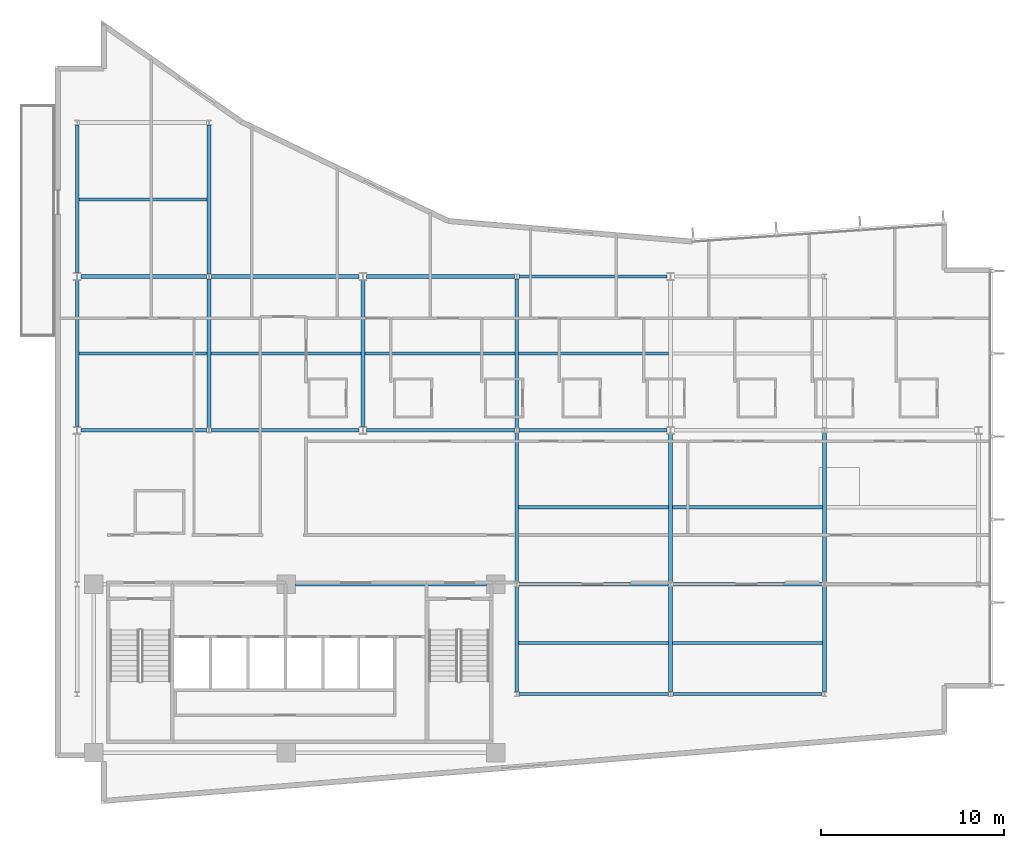
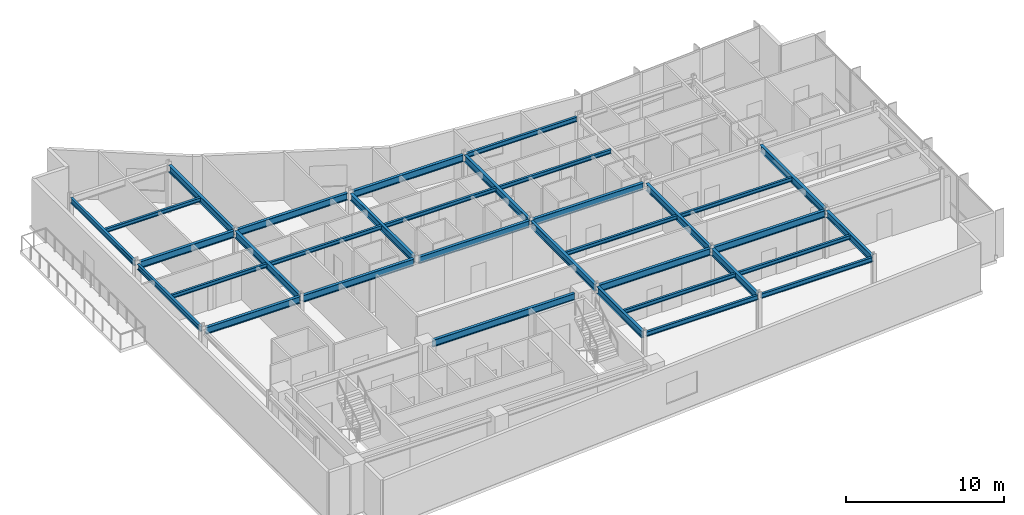
# One storey, part 4 of 16: 34 beams.
"""IFC4 building model written with IfcOpenShell, lengths in metres."""

import ifcopenshell
import ifcopenshell.guid

model = None  # the IFC model being written
_history = None  # IfcOwnerHistory: only IFC2X3 demands one
_inside = {}  # id of a spatial element -> (the spatial element, [elements in it])
_under = {}  # id of a project, library or spatial element -> (it, [spatial elements below it])
_declared = {}  # id of a project -> (the project, [libraries it declares])
_typed = {}  # id of a type object -> (the type object, [elements of that type])
_made_of = {}  # id of a material, layer set ... -> (it, [elements and type objects made of it])


def new_model(schema):
    """Start an empty IFC model of exactly this schema.

    Asked for "IFC4X3", IfcOpenShell would pick the latest addendum, in which some entities
    have other attributes; the version numbers below select the first issue.
    IFC2X3 requires an IfcOwnerHistory on every rooted entity: one is made here for all.
    """
    global model, _history
    if schema == "IFC4X3":
        model = ifcopenshell.file(schema_version=(4, 3, 0, 0))
    else:
        model = ifcopenshell.file(schema=schema)
    _inside.clear()
    _under.clear()
    _declared.clear()
    _typed.clear()
    _made_of.clear()
    _history = None
    if model.schema == "IFC2X3":
        org = make("IfcOrganization", Name="unknown")
        user = make(
            "IfcPersonAndOrganization",
            ThePerson=make("IfcPerson", FamilyName="unknown"),
            TheOrganization=org,
        )
        app = make(
            "IfcApplication",
            ApplicationDeveloper=org,
            Version="unknown",
            ApplicationFullName="unknown",
            ApplicationIdentifier="unknown",
        )
        _history = make(
            "IfcOwnerHistory",
            OwningUser=user,
            OwningApplication=app,
            ChangeAction="ADDED",
            CreationDate=0,
        )
    return model


def make(cls, **values):
    """One entity of the class cls with the attributes given. An attribute that is None is left unset."""
    return model.create_entity(
        cls, **{name: value for name, value in values.items() if value is not None}
    )


def rooted(cls, **values):
    """An entity with a GlobalId (a new one), such as an element, a storey or a relation."""
    return make(cls, GlobalId=ifcopenshell.guid.new(), OwnerHistory=_history, **values)


def si_unit(unit_type, name, prefix=None):
    """IfcSIUnit, for example si_unit("LENGTHUNIT", "METRE", prefix="MILLI")."""
    return make("IfcSIUnit", UnitType=unit_type, Prefix=prefix, Name=name)


def assignment(units):
    """IfcUnitAssignment: the units of a project."""
    return None if units is None else make("IfcUnitAssignment", Units=units)


def point(xyz):
    """IfcCartesianPoint."""
    return None if xyz is None else make("IfcCartesianPoint", Coordinates=xyz)


def direction(xyz):
    """IfcDirection."""
    return None if xyz is None else make("IfcDirection", DirectionRatios=xyz)


def frame(location, z_axis=None, x_axis=None):
    """IfcAxis2Placement3D, a coordinate frame: its origin and axes. An axis left out is left unset."""
    return make(
        "IfcAxis2Placement3D",
        Location=point(location),
        Axis=direction(z_axis),
        RefDirection=direction(x_axis),
    )


def frame_2d(location, x_axis=None):
    """IfcAxis2Placement2D, a coordinate frame in the plane: its origin and x axis."""
    return make(
        "IfcAxis2Placement2D", Location=point(location), RefDirection=direction(x_axis)
    )


def origin():
    """The frame at (0, 0, 0) with its axes left unset."""
    return frame((0.0, 0.0, 0.0))


def origin_2d():
    """The frame at (0, 0) in the plane with its x axis left unset."""
    return frame_2d((0.0, 0.0))


def place(relative_to, where):
    """IfcLocalPlacement: puts the frame where relative to a parent placement (None: the world)."""
    return make(
        "IfcLocalPlacement", PlacementRelTo=relative_to, RelativePlacement=where
    )


def context(
    kind, dimensions, precision=None, world=None, true_north=None, identifier=None
):
    """IfcGeometricRepresentationContext, for example the 3D "Model" context."""
    return make(
        "IfcGeometricRepresentationContext",
        ContextIdentifier=identifier,
        ContextType=kind,
        CoordinateSpaceDimension=dimensions,
        Precision=precision,
        WorldCoordinateSystem=world,
        TrueNorth=true_north,
    )


def subcontext(parent, identifier, kind, view, scale=None):
    """IfcGeometricRepresentationSubContext, for example "Body" below "Model"."""
    return make(
        "IfcGeometricRepresentationSubContext",
        ContextIdentifier=identifier,
        ContextType=kind,
        ParentContext=parent,
        TargetScale=scale,
        TargetView=view,
    )


def project(units=None, contexts=None):
    """IfcProject with its units and contexts."""
    return rooted(
        "IfcProject",
        Name="project",
        RepresentationContexts=contexts,
        UnitsInContext=assignment(units),
    )


def spatial(cls, under=None, at=None, **own):
    """A site, building, storey or space (cls), placed at a placement, below another one or the project."""
    s = rooted(cls, ObjectPlacement=at, **own)
    if under is not None:
        _under.setdefault(under.id(), (under, []))[1].append(s)
    return s


def profile(cls, at=None, kind="AREA", **sizes):
    """A parametric profile (cls). Its sizes go by their IFC names, for example OverallWidth=200.0."""
    return make(cls, ProfileType=kind, Position=at, **sizes)


def i_section(**sizes):
    """IfcIShapeProfileDef."""
    return profile("IfcIShapeProfileDef", **sizes)


def extrude(swept, where, along, depth):
    """IfcExtrudedAreaSolid: the profile swept, set in the frame where, extruded along a direction by depth."""
    return make(
        "IfcExtrudedAreaSolid",
        SweptArea=swept,
        Position=where,
        ExtrudedDirection=direction(along),
        Depth=depth,
    )


def shape(context_of_items, identifier, shape_type, items):
    """IfcShapeRepresentation: the items that make up one representation, for example the "Body"."""
    return make(
        "IfcShapeRepresentation",
        ContextOfItems=context_of_items,
        RepresentationIdentifier=identifier,
        RepresentationType=shape_type,
        Items=items,
    )


def material(Name=None, Category=None):
    """IfcMaterial."""
    return make("IfcMaterial", Name=Name, Category=Category)


def material_profile(
    of_material, cross_section, Name=None, Category=None, Priority=None
):
    """IfcMaterialProfile: a cross section and its material."""
    return make(
        "IfcMaterialProfile",
        Name=Name,
        Material=of_material,
        Profile=cross_section,
        Priority=Priority,
        Category=Category,
    )


def profile_set(profiles, Name=None, composite=None):
    """IfcMaterialProfileSet."""
    return make(
        "IfcMaterialProfileSet",
        Name=Name,
        MaterialProfiles=profiles,
        CompositeProfile=composite,
    )


def made_of(thing, what):
    """Note that an element or type object is made of a material, layer set ...; save() writes the relation."""
    if what is not None:
        _made_of.setdefault(what.id(), (what, []))[1].append(thing)
    return thing


def type_object(cls, material=None, **own):
    """A type object (cls), such as IfcWallType, which elements share."""
    return made_of(rooted(cls, **own), material)


def element(
    cls,
    number,
    at=None,
    inside=None,
    cuts=None,
    type_object=None,
    material=None,
    context=None,
    identifier="Body",
    shape_type=None,
    held_by="IfcProductDefinitionShape",
    body=None,
    shapes=None,
    **own,
):
    """One element of the class cls, such as IfcWall. Its Tag is "e" and its number.

    at: its placement. inside: the storey or other place that contains it. cuts: it is an
    opening in that element (IfcRelVoidsElement). A single representation is given by context,
    identifier, shape_type and body (its items); several are given by shapes. held_by: the class
    of the entity that holds the representations. save() writes the other relations.
    """
    e = rooted(cls, Tag="e%d" % number, ObjectPlacement=at, **own)
    if body is not None:
        shapes = [shape(context, identifier, shape_type, body)]
    if shapes is not None:
        e.Representation = make(held_by, Representations=shapes)
    if inside is not None:
        _inside.setdefault(inside.id(), (inside, []))[1].append(e)
    if cuts is not None:
        rooted(
            "IfcRelVoidsElement", RelatingBuildingElement=cuts, RelatedOpeningElement=e
        )
    if type_object is not None:
        _typed.setdefault(type_object.id(), (type_object, []))[1].append(e)
    return made_of(e, material)


def aggregate(whole, parts):
    """IfcRelAggregates: a whole, such as a stair, and the parts it consists of."""
    return rooted("IfcRelAggregates", RelatingObject=whole, RelatedObjects=parts)


def save(model, path):
    """Write the relations noted so far, then the file.

    IfcRelAggregates (storeys below a building ...), IfcRelContainedInSpatialStructure (elements
    in a storey), IfcRelDefinesByType, IfcRelAssociatesMaterial and IfcRelDeclares: one each for
    every whole, place, type object, material and project.
    """
    for whole, parts in _under.values():
        aggregate(whole, parts)
    for where, things in _inside.values():
        rooted(
            "IfcRelContainedInSpatialStructure",
            RelatedElements=things,
            RelatingStructure=where,
        )
    for kind, things in _typed.values():
        rooted("IfcRelDefinesByType", RelatedObjects=things, RelatingType=kind)
    for what, things in _made_of.values():
        rooted("IfcRelAssociatesMaterial", RelatedObjects=things, RelatingMaterial=what)
    for by, libraries in _declared.values():
        rooted("IfcRelDeclares", RelatingContext=by, RelatedDefinitions=libraries)
    model.write(path)


model = new_model("IFC4")

# Units and contexts
model_context = context("Model", 3, precision=1e-05, world=origin(), true_north=direction((0.0, 1.0)))
body_context = subcontext(model_context, "Body", "Model", "MODEL_VIEW")
ifc_project = project(units=[si_unit("LENGTHUNIT", "METRE"), si_unit("AREAUNIT", "SQUARE_METRE"), si_unit("VOLUMEUNIT", "CUBIC_METRE"), si_unit("PLANEANGLEUNIT", "RADIAN"), si_unit("MASSUNIT", "GRAM", prefix="KILO")], contexts=[model_context])

# Site, building, storey
site_placement = place(None, origin())
site = spatial("IfcSite", under=ifc_project, at=site_placement, CompositionType="ELEMENT")
building_placement = place(site_placement, origin())
building = spatial("IfcBuilding", under=site, at=building_placement, Name="Varnakote Quay Hospital", CompositionType="ELEMENT")
storey_placement = place(building_placement, frame((0.0, 0.0, 223.699951171875)))
storey = spatial("IfcBuildingStorey", under=building, at=storey_placement, Name="L55", CompositionType="ELEMENT", Elevation=223.699951171875)

# Beams
ifc_material_1 = material(Name="Structural steel AS/NZS 3679.1 Grade 350 L0 (fy 340 MPa)", Category="steel")
ifc_material_profile_1 = material_profile(ifc_material_1, i_section(OverallWidth=0.208984375, OverallDepth=0.528076171875, WebThickness=0.009521484375, FlangeThickness=0.01318359375, FilletRadius=0.013916015625, at=origin_2d()), Name="530UB82.0")
ifc_profile_set_1 = profile_set([ifc_material_profile_1], Name="Structural steel AS/NZS 3679.1 Grade 350 L0 (fy 340 MPa)")
beam_type_1 = type_object("IfcBeamType", Name="BM-STL-530UB82-0", PredefinedType="BEAM", material=ifc_profile_set_1)
beam_1_placement = place(storey_placement, frame((8.39990234375, 20.530029296875, 3.446044921875), z_axis=(0.0, 1.0, 0.0), x_axis=(-1.0, 0.0, 0.0)))
element("IfcBeam", 1, at=beam_1_placement, inside=storey, type_object=beam_type_1, Name="L55 Primary Tie Beam", PredefinedType="BEAM", context=body_context, shape_type="SweptSolid", body=[
    extrude(i_section(OverallWidth=0.208984375, OverallDepth=0.528076171875, WebThickness=0.009521484375, FlangeThickness=0.01318359375, FilletRadius=0.013916015625, at=origin_2d()), origin(), (0.0, 0.0, 1.0), 8.139892578125),
])
beam_2_placement = place(storey_placement, frame((8.39990234375, 28.929931640625, 3.446044921875), z_axis=(0.0, 1.0, 0.0), x_axis=(-1.0, 0.0, 0.0)))
element("IfcBeam", 2, at=beam_2_placement, inside=storey, type_object=beam_type_1, Name="L55 Primary Tie Beam", PredefinedType="BEAM", context=body_context, shape_type="SweptSolid", body=[
    extrude(i_section(OverallWidth=0.208984375, OverallDepth=0.528076171875, WebThickness=0.009521484375, FlangeThickness=0.01318359375, FilletRadius=0.013916015625, at=origin_2d()), origin(), (0.0, 0.0, 1.0), 8.14013671875),
])
beam_3_placement = place(storey_placement, frame((16.800048828125, 20.60205078125, 3.446044921875), z_axis=(0.0, 1.0, 0.0), x_axis=(-1.0, 0.0, 0.0)))
element("IfcBeam", 3, at=beam_3_placement, inside=storey, type_object=beam_type_1, Name="L55 Primary Tie Beam", PredefinedType="BEAM", context=body_context, shape_type="SweptSolid", body=[
    extrude(i_section(OverallWidth=0.208984375, OverallDepth=0.528076171875, WebThickness=0.009521484375, FlangeThickness=0.01318359375, FilletRadius=0.013916015625, at=origin_2d()), origin(), (0.0, 0.0, 1.0), 7.995849609375),
])
beam_4_placement = place(storey_placement, frame((25.199951171875, 6.1298828125, 3.446044921875), z_axis=(0.0, 1.0, 0.0), x_axis=(-1.0, 0.0, 0.0)))
element("IfcBeam", 4, at=beam_4_placement, inside=storey, type_object=beam_type_1, Name="L55 Primary Tie Beam", PredefinedType="BEAM", context=body_context, shape_type="SweptSolid", body=[
    extrude(i_section(OverallWidth=0.208984375, OverallDepth=0.528076171875, WebThickness=0.009521484375, FlangeThickness=0.01318359375, FilletRadius=0.013916015625, at=origin_2d()), origin(), (0.0, 0.0, 1.0), 5.740234375),
])
beam_5_placement = place(storey_placement, frame((25.199951171875, 12.1298828125, 3.446044921875), z_axis=(0.0, 1.0, 0.0), x_axis=(-1.0, 0.0, 0.0)))
element("IfcBeam", 5, at=beam_5_placement, inside=storey, type_object=beam_type_1, Name="L55 Primary Tie Beam", PredefinedType="BEAM", context=body_context, shape_type="SweptSolid", body=[
    extrude(i_section(OverallWidth=0.208984375, OverallDepth=0.528076171875, WebThickness=0.009521484375, FlangeThickness=0.01318359375, FilletRadius=0.013916015625, at=origin_2d()), origin(), (0.0, 0.0, 1.0), 8.14013671875),
])
beam_6_placement = place(storey_placement, frame((25.199951171875, 20.530029296875, 3.446044921875), z_axis=(0.0, 1.0, 0.0), x_axis=(-1.0, 0.0, 0.0)))
element("IfcBeam", 6, at=beam_6_placement, inside=storey, type_object=beam_type_1, Name="L55 Primary Tie Beam", PredefinedType="BEAM", context=body_context, shape_type="SweptSolid", body=[
    extrude(i_section(OverallWidth=0.208984375, OverallDepth=0.528076171875, WebThickness=0.009521484375, FlangeThickness=0.01318359375, FilletRadius=0.013916015625, at=origin_2d()), origin(), (0.0, 0.0, 1.0), 8.139892578125),
])
beam_7_placement = place(storey_placement, frame((33.60009765625, 6.1298828125, 3.446044921875), z_axis=(0.0, 1.0, 0.0), x_axis=(-1.0, 0.0, 0.0)))
element("IfcBeam", 7, at=beam_7_placement, inside=storey, type_object=beam_type_1, Name="L55 Primary Tie Beam", PredefinedType="BEAM", context=body_context, shape_type="SweptSolid", body=[
    extrude(i_section(OverallWidth=0.208984375, OverallDepth=0.528076171875, WebThickness=0.009521484375, FlangeThickness=0.01318359375, FilletRadius=0.013916015625, at=origin_2d()), origin(), (0.0, 0.0, 1.0), 5.740234375),
])
beam_8_placement = place(storey_placement, frame((33.60009765625, 12.1298828125, 3.446044921875), z_axis=(0.0, 1.0, 0.0), x_axis=(-1.0, 0.0, 0.0)))
element("IfcBeam", 8, at=beam_8_placement, inside=storey, type_object=beam_type_1, Name="L55 Primary Tie Beam", PredefinedType="BEAM", context=body_context, shape_type="SweptSolid", body=[
    extrude(i_section(OverallWidth=0.208984375, OverallDepth=0.528076171875, WebThickness=0.009521484375, FlangeThickness=0.01318359375, FilletRadius=0.013916015625, at=origin_2d()), origin(), (0.0, 0.0, 1.0), 8.068115234375),
])
beam_9_placement = place(storey_placement, frame((42.0, 6.1298828125, 3.446044921875), z_axis=(0.0, 1.0, 0.0), x_axis=(-1.0, 0.0, 0.0)))
element("IfcBeam", 9, at=beam_9_placement, inside=storey, type_object=beam_type_1, Name="L55 Primary Tie Beam", PredefinedType="BEAM", context=body_context, shape_type="SweptSolid", body=[
    extrude(i_section(OverallWidth=0.208984375, OverallDepth=0.528076171875, WebThickness=0.009521484375, FlangeThickness=0.01318359375, FilletRadius=0.013916015625, at=origin_2d()), origin(), (0.0, 0.0, 1.0), 5.740234375),
])
beam_10_placement = place(storey_placement, frame((42.0, 12.1298828125, 3.446044921875), z_axis=(0.0, 1.0, 0.0), x_axis=(-1.0, 0.0, 0.0)))
element("IfcBeam", 10, at=beam_10_placement, inside=storey, type_object=beam_type_1, Name="L55 Primary Tie Beam", PredefinedType="BEAM", context=body_context, shape_type="SweptSolid", body=[
    extrude(i_section(OverallWidth=0.208984375, OverallDepth=0.528076171875, WebThickness=0.009521484375, FlangeThickness=0.01318359375, FilletRadius=0.013916015625, at=origin_2d()), origin(), (0.0, 0.0, 1.0), 8.14013671875),
])
ifc_material_2 = material(Name="Structural steel AS/NZS 3679.1 Grade 350 L0 (fy 340 MPa)", Category="steel")
ifc_material_profile_2 = material_profile(ifc_material_2, i_section(OverallWidth=0.208984375, OverallDepth=0.532958984375, WebThickness=0.01025390625, FlangeThickness=0.015625, FilletRadius=0.013916015625, at=origin_2d()), Name="530UB92.4")
ifc_profile_set_2 = profile_set([ifc_material_profile_2], Name="Structural steel AS/NZS 3679.1 Grade 350 L0 (fy 340 MPa)")
beam_type_2 = type_object("IfcBeamType", Name="BM-STL-530UB92-4", PredefinedType="BEAM", material=ifc_profile_set_2)
beam_11_placement = place(storey_placement, frame((13.1201171875, 12.0, 3.443603515625), z_axis=(1.0, 0.0, 0.0), x_axis=(0.0, 1.0, 0.0)))
element("IfcBeam", 11, at=beam_11_placement, inside=storey, type_object=beam_type_2, Name="L55 Primary Floor Beam", PredefinedType="BEAM", context=body_context, shape_type="SweptSolid", body=[
    extrude(i_section(OverallWidth=0.208984375, OverallDepth=0.532958984375, WebThickness=0.01025390625, FlangeThickness=0.015625, FilletRadius=0.013916015625, at=origin_2d()), origin(), (0.0, 0.0, 1.0), 10.429931640625),
])
for number, where, z_axis, x_axis, name in (
    (12, (25.327880859375, 12.0, 3.443603515625), (1.0, 0.0, 0.0), (0.0, 1.0, 0.0), "L55 Primary Floor Beam"),
    (13, (33.72802734375, 12.0, 3.443603515625), (1.0, 0.0, 0.0), (0.0, 1.0, 0.0), "L55 Primary Floor Beam"),
):
    element("IfcBeam", number, at=place(storey_placement, frame(where, z_axis=z_axis, x_axis=x_axis)), inside=storey, type_object=beam_type_2, Name=name, PredefinedType="BEAM", context=body_context, shape_type="SweptSolid", body=[
        extrude(i_section(OverallWidth=0.208984375, OverallDepth=0.532958984375, WebThickness=0.01025390625, FlangeThickness=0.015625, FilletRadius=0.013916015625, at=origin_2d()), origin(), (0.0, 0.0, 1.0), 8.14404296875),
    ])
beam_12_placement = place(storey_placement, frame((1.39990234375, 20.39990234375, 3.443603515625), z_axis=(1.0, 0.0, 0.0), x_axis=(0.0, 1.0, 0.0)))
element("IfcBeam", 14, at=beam_12_placement, inside=storey, type_object=beam_type_2, Name="L55 Primary Floor Beam", PredefinedType="BEAM", context=body_context, shape_type="SweptSolid", body=[
    extrude(i_section(OverallWidth=0.208984375, OverallDepth=0.532958984375, WebThickness=0.01025390625, FlangeThickness=0.015625, FilletRadius=0.013916015625, at=origin_2d()), origin(), (0.0, 0.0, 1.0), 6.8720703125),
])
for number, where, z_axis, x_axis, name in (
    (15, (8.528076171875, 20.39990234375, 3.443603515625), (1.0, 0.0, 0.0), (0.0, 1.0, 0.0), "L55 Primary Floor Beam"),
    (16, (17.0, 20.39990234375, 3.443603515625), (1.0, 0.0, 0.0), (0.0, 1.0, 0.0), "L55 Primary Floor Beam"),
    (17, (25.327880859375, 20.39990234375, 3.443603515625), (1.0, 0.0, 0.0), (0.0, 1.0, 0.0), "L55 Primary Floor Beam"),
):
    element("IfcBeam", number, at=place(storey_placement, frame(where, z_axis=z_axis, x_axis=x_axis)), inside=storey, type_object=beam_type_2, Name=name, PredefinedType="BEAM", context=body_context, shape_type="SweptSolid", body=[
        extrude(i_section(OverallWidth=0.208984375, OverallDepth=0.532958984375, WebThickness=0.01025390625, FlangeThickness=0.015625, FilletRadius=0.013916015625, at=origin_2d()), origin(), (0.0, 0.0, 1.0), 8.072021484375),
    ])
beam_13_placement = place(storey_placement, frame((1.39990234375, 28.800048828125, 3.443603515625), z_axis=(1.0, 0.0, 0.0), x_axis=(0.0, 1.0, 0.0)))
element("IfcBeam", 18, at=beam_13_placement, inside=storey, type_object=beam_type_2, Name="L55 Primary Floor Beam", PredefinedType="BEAM", context=body_context, shape_type="SweptSolid", body=[
    extrude(i_section(OverallWidth=0.208984375, OverallDepth=0.532958984375, WebThickness=0.01025390625, FlangeThickness=0.015625, FilletRadius=0.013916015625, at=origin_2d()), origin(), (0.0, 0.0, 1.0), 6.8720703125),
])
for number, where, z_axis, x_axis, name in (
    (19, (8.528076171875, 28.800048828125, 3.443603515625), (1.0, 0.0, 0.0), (0.0, 1.0, 0.0), "L55 Primary Floor Beam"),
    (20, (17.0, 28.800048828125, 3.443603515625), (1.0, 0.0, 0.0), (0.0, 1.0, 0.0), "L55 Primary Floor Beam"),
):
    element("IfcBeam", number, at=place(storey_placement, frame(where, z_axis=z_axis, x_axis=x_axis)), inside=storey, type_object=beam_type_2, Name=name, PredefinedType="BEAM", context=body_context, shape_type="SweptSolid", body=[
        extrude(i_section(OverallWidth=0.208984375, OverallDepth=0.532958984375, WebThickness=0.01025390625, FlangeThickness=0.015625, FilletRadius=0.013916015625, at=origin_2d()), origin(), (0.0, 0.0, 1.0), 8.072021484375),
    ])
ifc_material_3 = material(Name="Structural steel AS/NZS 3679.1 Grade 350 L0 (fy 340 MPa)", Category="steel")
ifc_material_profile_3 = material_profile(ifc_material_3, i_section(OverallWidth=0.1650390625, OverallDepth=0.303955078125, WebThickness=0.006103515625, FlangeThickness=0.01025390625, FilletRadius=0.011474609375, at=origin_2d()), Name="310UB40.4")
ifc_profile_set_3 = profile_set([ifc_material_profile_3], Name="Structural steel AS/NZS 3679.1 Grade 350 L0 (fy 340 MPa)")
beam_type_3 = type_object("IfcBeamType", Name="JST-STL-310UB40-4", PredefinedType="JOIST", material=ifc_profile_set_3)
beam_14_placement = place(storey_placement, frame((25.304443359375, 8.800048828125, 3.55810546875), z_axis=(1.0, 0.0, 0.0), x_axis=(0.0, 1.0, 0.0)))
element("IfcBeam", 21, at=beam_14_placement, inside=storey, type_object=beam_type_3, Name="L55 Composite Floor Joist", PredefinedType="JOIST", context=body_context, shape_type="SweptSolid", body=[
    extrude(i_section(OverallWidth=0.1650390625, OverallDepth=0.303955078125, WebThickness=0.006103515625, FlangeThickness=0.01025390625, FilletRadius=0.011474609375, at=origin_2d()), origin(), (0.0, 0.0, 1.0), 8.191162109375),
])
beam_15_placement = place(storey_placement, frame((33.70458984375, 8.800048828125, 3.55810546875), z_axis=(1.0, 0.0, 0.0), x_axis=(0.0, 1.0, 0.0)))
element("IfcBeam", 22, at=beam_15_placement, inside=storey, type_object=beam_type_3, Name="L55 Composite Floor Joist", PredefinedType="JOIST", context=body_context, shape_type="SweptSolid", body=[
    extrude(i_section(OverallWidth=0.1650390625, OverallDepth=0.303955078125, WebThickness=0.006103515625, FlangeThickness=0.01025390625, FilletRadius=0.011474609375, at=origin_2d()), origin(), (0.0, 0.0, 1.0), 8.19091796875),
])
beam_16_placement = place(storey_placement, frame((25.304443359375, 16.199951171875, 3.55810546875), z_axis=(1.0, 0.0, 0.0), x_axis=(0.0, 1.0, 0.0)))
element("IfcBeam", 23, at=beam_16_placement, inside=storey, type_object=beam_type_3, Name="L55 Composite Floor Joist", PredefinedType="JOIST", context=body_context, shape_type="SweptSolid", body=[
    extrude(i_section(OverallWidth=0.1650390625, OverallDepth=0.303955078125, WebThickness=0.006103515625, FlangeThickness=0.01025390625, FilletRadius=0.011474609375, at=origin_2d()), origin(), (0.0, 0.0, 1.0), 8.191162109375),
])
beam_17_placement = place(storey_placement, frame((33.70458984375, 16.199951171875, 3.55810546875), z_axis=(1.0, 0.0, 0.0), x_axis=(0.0, 1.0, 0.0)))
element("IfcBeam", 24, at=beam_17_placement, inside=storey, type_object=beam_type_3, Name="L55 Composite Floor Joist", PredefinedType="JOIST", context=body_context, shape_type="SweptSolid", body=[
    extrude(i_section(OverallWidth=0.1650390625, OverallDepth=0.303955078125, WebThickness=0.006103515625, FlangeThickness=0.01025390625, FilletRadius=0.011474609375, at=origin_2d()), origin(), (0.0, 0.0, 1.0), 8.19091796875),
])
beam_18_placement = place(storey_placement, frame((1.2890625, 24.60009765625, 3.55810546875), z_axis=(1.0, 0.0, 0.0), x_axis=(0.0, 1.0, 0.0)))
element("IfcBeam", 25, at=beam_18_placement, inside=storey, type_object=beam_type_3, Name="L55 Composite Floor Joist", PredefinedType="JOIST", context=body_context, shape_type="SweptSolid", body=[
    extrude(i_section(OverallWidth=0.1650390625, OverallDepth=0.303955078125, WebThickness=0.006103515625, FlangeThickness=0.01025390625, FilletRadius=0.011474609375, at=origin_2d()), origin(), (0.0, 0.0, 1.0), 7.00634765625),
])
beam_19_placement = place(storey_placement, frame((8.50439453125, 24.60009765625, 3.55810546875), z_axis=(1.0, 0.0, 0.0), x_axis=(0.0, 1.0, 0.0)))
element("IfcBeam", 26, at=beam_19_placement, inside=storey, type_object=beam_type_3, Name="L55 Composite Floor Joist", PredefinedType="JOIST", context=body_context, shape_type="SweptSolid", body=[
    extrude(i_section(OverallWidth=0.1650390625, OverallDepth=0.303955078125, WebThickness=0.006103515625, FlangeThickness=0.01025390625, FilletRadius=0.011474609375, at=origin_2d()), origin(), (0.0, 0.0, 1.0), 8.191162109375),
])
beam_20_placement = place(storey_placement, frame((16.904541015625, 24.60009765625, 3.55810546875), z_axis=(1.0, 0.0, 0.0), x_axis=(0.0, 1.0, 0.0)))
element("IfcBeam", 27, at=beam_20_placement, inside=storey, type_object=beam_type_3, Name="L55 Composite Floor Joist", PredefinedType="JOIST", context=body_context, shape_type="SweptSolid", body=[
    extrude(i_section(OverallWidth=0.1650390625, OverallDepth=0.303955078125, WebThickness=0.006103515625, FlangeThickness=0.01025390625, FilletRadius=0.011474609375, at=origin_2d()), origin(), (0.0, 0.0, 1.0), 8.19091796875),
])
beam_21_placement = place(storey_placement, frame((25.304443359375, 24.60009765625, 3.55810546875), z_axis=(1.0, 0.0, 0.0), x_axis=(0.0, 1.0, 0.0)))
element("IfcBeam", 28, at=beam_21_placement, inside=storey, type_object=beam_type_3, Name="L55 Composite Floor Joist", PredefinedType="JOIST", context=body_context, shape_type="SweptSolid", body=[
    extrude(i_section(OverallWidth=0.1650390625, OverallDepth=0.303955078125, WebThickness=0.006103515625, FlangeThickness=0.01025390625, FilletRadius=0.011474609375, at=origin_2d()), origin(), (0.0, 0.0, 1.0), 8.191162109375),
])
beam_22_placement = place(storey_placement, frame((1.2890625, 33.0, 3.55810546875), z_axis=(1.0, 0.0, 0.0), x_axis=(0.0, 1.0, 0.0)))
element("IfcBeam", 29, at=beam_22_placement, inside=storey, type_object=beam_type_3, Name="L55 Composite Floor Joist", PredefinedType="JOIST", context=body_context, shape_type="SweptSolid", body=[
    extrude(i_section(OverallWidth=0.1650390625, OverallDepth=0.303955078125, WebThickness=0.006103515625, FlangeThickness=0.01025390625, FilletRadius=0.011474609375, at=origin_2d()), origin(), (0.0, 0.0, 1.0), 7.00634765625),
])
ifc_material_4 = material(Name="Structural steel AS/NZS 3679.1 Grade 350 L0 (fy 340 MPa)", Category="steel")
ifc_material_profile_4 = material_profile(ifc_material_4, i_section(OverallWidth=0.172119140625, OverallDepth=0.35888671875, WebThickness=0.008056640625, FlangeThickness=0.012939453125, FilletRadius=0.011474609375, at=origin_2d()), Name="360UB56.7")
ifc_profile_set_4 = profile_set([ifc_material_profile_4], Name="Structural steel AS/NZS 3679.1 Grade 350 L0 (fy 340 MPa)")
beam_type_4 = type_object("IfcBeamType", Name="SPN-STL-360UB56-7", PredefinedType="SPANDREL", material=ifc_profile_set_4)
for number, where, z_axis, x_axis, name in (
    (30, (25.327880859375, 6.0, 3.530517578125), (1.0, 0.0, 0.0), (0.0, 1.0, 0.0), "L55 Perimeter Spandrel Beam"),
    (31, (33.72802734375, 6.0, 3.530517578125), (1.0, 0.0, 0.0), (0.0, 1.0, 0.0), "L55 Perimeter Spandrel Beam"),
):
    element("IfcBeam", number, at=place(storey_placement, frame(where, z_axis=z_axis, x_axis=x_axis)), inside=storey, type_object=beam_type_4, Name=name, PredefinedType="SPANDREL", context=body_context, shape_type="SweptSolid", body=[
        extrude(i_section(OverallWidth=0.172119140625, OverallDepth=0.35888671875, WebThickness=0.008056640625, FlangeThickness=0.012939453125, FilletRadius=0.011474609375, at=origin_2d()), origin(), (0.0, 0.0, 1.0), 8.14404296875),
    ])
beam_23_placement = place(storey_placement, frame((25.327880859375, 28.800048828125, 3.530517578125), z_axis=(1.0, 0.0, 0.0), x_axis=(0.0, 1.0, 0.0)))
element("IfcBeam", 32, at=beam_23_placement, inside=storey, type_object=beam_type_4, Name="L55 Perimeter Spandrel Beam", PredefinedType="SPANDREL", context=body_context, shape_type="SweptSolid", body=[
    extrude(i_section(OverallWidth=0.172119140625, OverallDepth=0.35888671875, WebThickness=0.008056640625, FlangeThickness=0.012939453125, FilletRadius=0.011474609375, at=origin_2d()), origin(), (0.0, 0.0, 1.0), 8.072021484375),
])
ifc_material_5 = material(Name="Structural steel AS/NZS 3679.1 Grade 350 L0 (fy 340 MPa)", Category="steel")
ifc_material_profile_5 = material_profile(ifc_material_5, i_section(OverallWidth=0.177978515625, OverallDepth=0.403076171875, WebThickness=0.007568359375, FlangeThickness=0.010986328125, FilletRadius=0.011474609375, at=origin_2d()), Name="410UB53.7")
ifc_profile_set_5 = profile_set([ifc_material_profile_5], Name="Structural steel AS/NZS 3679.1 Grade 350 L0 (fy 340 MPa)")
beam_type_5 = type_object("IfcBeamType", Name="SPN-STL-410UB53-7", PredefinedType="SPANDREL", material=ifc_profile_set_5)
beam_24_placement = place(storey_placement, frame((1.199951171875, 20.60205078125, 3.508544921875), z_axis=(0.0, 1.0, 0.0), x_axis=(-1.0, 0.0, 0.0)))
element("IfcBeam", 33, at=beam_24_placement, inside=storey, type_object=beam_type_5, Name="L55 Perimeter Spandrel Beam", PredefinedType="SPANDREL", context=body_context, shape_type="SweptSolid", body=[
    extrude(i_section(OverallWidth=0.177978515625, OverallDepth=0.403076171875, WebThickness=0.007568359375, FlangeThickness=0.010986328125, FilletRadius=0.011474609375, at=origin_2d()), origin(), (0.0, 0.0, 1.0), 7.995849609375),
])
beam_25_placement = place(storey_placement, frame((1.199951171875, 29.001953125, 3.508544921875), z_axis=(0.0, 1.0, 0.0), x_axis=(-1.0, 0.0, 0.0)))
element("IfcBeam", 34, at=beam_25_placement, inside=storey, type_object=beam_type_5, Name="L55 Perimeter Spandrel Beam", PredefinedType="SPANDREL", context=body_context, shape_type="SweptSolid", body=[
    extrude(i_section(OverallWidth=0.177978515625, OverallDepth=0.403076171875, WebThickness=0.007568359375, FlangeThickness=0.010986328125, FilletRadius=0.011474609375, at=origin_2d()), origin(), (0.0, 0.0, 1.0), 8.068115234375),
])

save(model, "model.ifc")
